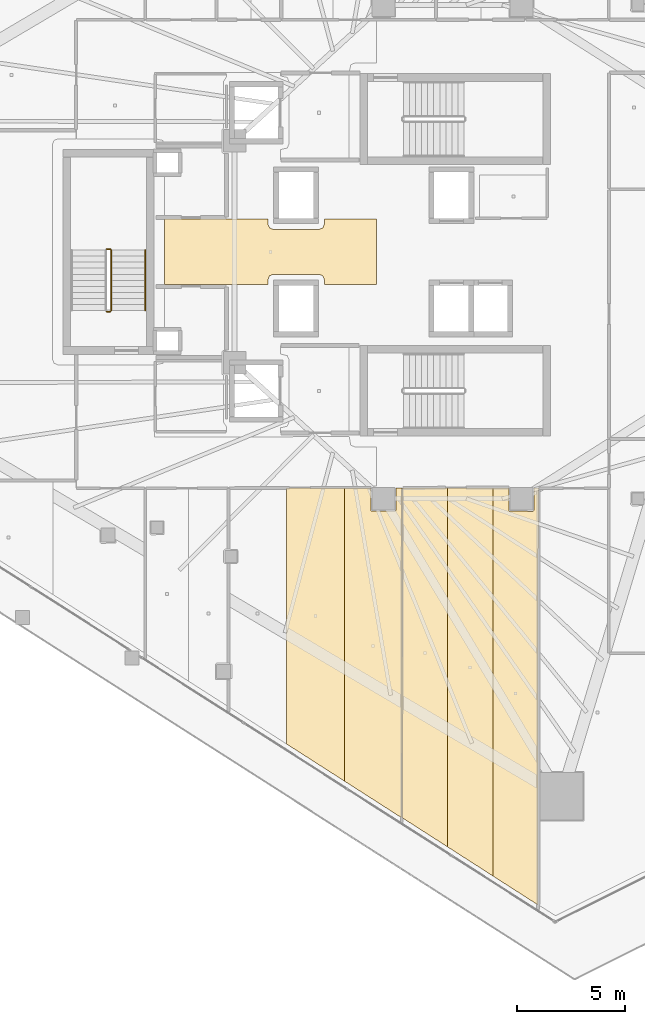
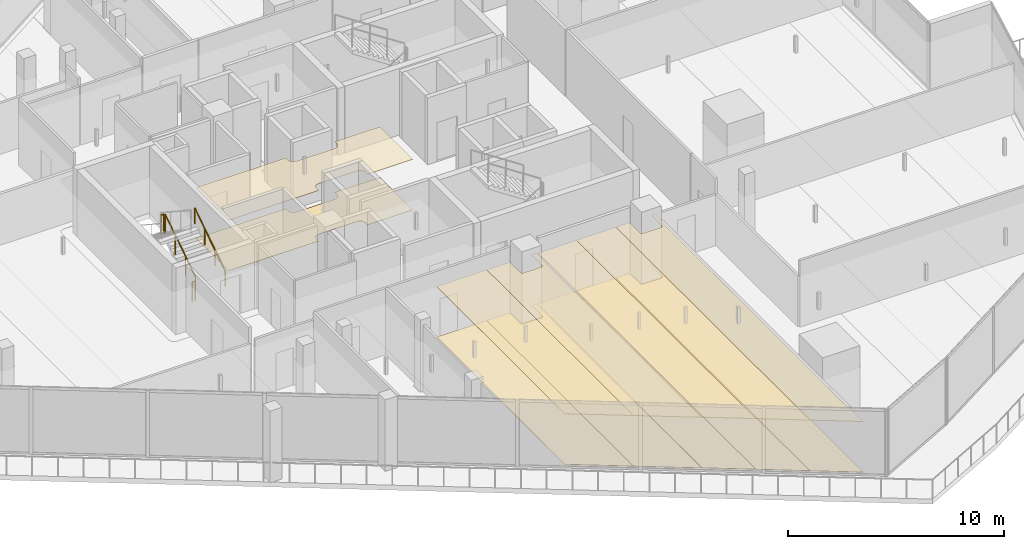
# One storey, part 37 of 44: 12 coverings, 4 railings.
"""IFC4 building model written with IfcOpenShell, lengths in metres."""

from ifc_helpers import new_model, si_unit, direction, frame, origin, origin_2d, place, context, subcontext, project, spatial, polyline, circle, outline, extrude, material, layer, layer_set, type_object, element, save


model = new_model("IFC4")

# Units and contexts
model_context = context("Model", 3, precision=1e-05, world=origin(), true_north=direction((0.0, 1.0)))
body_context = subcontext(model_context, "Body", "Model", "MODEL_VIEW")
ifc_project = project(units=[si_unit("LENGTHUNIT", "METRE"), si_unit("AREAUNIT", "SQUARE_METRE"), si_unit("VOLUMEUNIT", "CUBIC_METRE"), si_unit("PLANEANGLEUNIT", "RADIAN"), si_unit("MASSUNIT", "GRAM", prefix="KILO")], contexts=[model_context])

# Site, building, storey
site_placement = place(None, origin())
site = spatial("IfcSite", under=ifc_project, at=site_placement, CompositionType="ELEMENT")
building_placement = place(site_placement, origin())
building = spatial("IfcBuilding", under=site, at=building_placement, Name="Qorvath Tower", CompositionType="ELEMENT")
storey_placement = place(building_placement, frame((0.0, 0.0, 113.85009765625)))
storey = spatial("IfcBuildingStorey", under=building, at=storey_placement, Name="L25", CompositionType="ELEMENT", Elevation=113.85009765625)

# Coverings
ifc_material_1 = material(Name="Acoustic mineral fibre ceiling tile", Category="gypsum")
ifc_layer_1 = layer(ifc_material_1, 0.030029296875)
ifc_layer_set_1 = layer_set([ifc_layer_1], Name="COV-CEIL")
covering_type_1 = type_object("IfcCoveringType", Name="COV-CEIL", PredefinedType="CEILING", material=ifc_layer_set_1)
covering_1_placement = place(storey_placement, frame((0.0, 0.0, 2.849853515625)))
element("IfcCovering", 1, at=covering_1_placement, inside=storey, type_object=covering_type_1, Name="L25 Suspended Acoustic Ceiling 010", PredefinedType="CEILING", context=body_context, shape_type="SweptSolid", body=[
    extrude(outline(polyline([(-23.919677734375, -1.514892578125), (-23.919677734375, 1.514892578125), (-26.340087890625, 1.514892578125), (-26.340087890625, 1.2900390625), (-26.413330078125, 1.11328125), (-26.590087890625, 1.0400390625), (-28.7099609375, 1.0400390625), (-28.88671875, 1.11328125), (-28.9599609375, 1.2900390625), (-28.9599609375, 1.514892578125), (-33.760009765625, 1.514892578125), (-33.760009765625, -1.514892578125), (-28.9599609375, -1.514892578125), (-28.9599609375, -1.2900390625), (-28.88671875, -1.11328125), (-28.7099609375, -1.0400390625), (-26.590087890625, -1.0400390625), (-26.413330078125, -1.11328125), (-26.340087890625, -1.2900390625), (-26.340087890625, -1.514892578125), (-23.919677734375, -1.514892578125)])), origin(), (0.0, 0.0, 1.0), 0.030029296875),
])
covering_2_placement = place(storey_placement, frame((0.0, 0.0, 2.849853515625)))
element("IfcCovering", 2, at=covering_2_placement, inside=storey, type_object=covering_type_1, Name="L25 Suspended Acoustic Ceiling 026", PredefinedType="CEILING", context=body_context, shape_type="SweptSolid", body=[
    extrude(outline(polyline([(-25.418701171875, -24.5400390625), (-25.418701171875, -10.94677734375), (-28.0986328125, -10.954833984375), (-28.0986328125, -22.821044921875), (-25.418701171875, -24.5400390625)])), origin(), (0.0, 0.0, 1.0), 0.030029296875),
])
covering_3_placement = place(storey_placement, frame((0.0, 0.0, 2.849853515625)))
element("IfcCovering", 3, at=covering_3_placement, inside=storey, type_object=covering_type_1, Name="L25 Suspended Acoustic Ceiling 027", PredefinedType="CEILING", context=body_context, shape_type="SweptSolid", body=[
    extrude(outline(polyline([(-22.75634765625, -26.247802734375), (-22.73876953125, -10.962890625), (-23.014892578125, -10.951171875), (-23.014892578125, -11.97509765625), (-23.074951171875, -12.034912109375), (-24.16748046875, -12.017333984375), (-24.18505859375, -10.943115234375), (-25.418701171875, -10.94677734375), (-25.418701171875, -24.5400390625), (-22.75634765625, -26.247802734375)])), origin(), (0.0, 0.0, 1.0), 0.030029296875),
])
covering_4_placement = place(storey_placement, frame((0.0, 0.0, 2.849853515625)))
element("IfcCovering", 4, at=covering_4_placement, inside=storey, type_object=covering_type_1, Name="L25 Suspended Acoustic Ceiling 028", PredefinedType="CEILING", context=body_context, shape_type="SweptSolid", body=[
    extrude(outline(polyline([(-20.63232421875, -27.59326171875), (-20.63232421875, -10.95458984375), (-22.720703125, -10.962890625), (-22.73828125, -26.240966796875), (-20.63232421875, -27.59326171875)])), origin(), (0.0, 0.0, 1.0), 0.030029296875),
])
covering_5_placement = place(storey_placement, frame((0.0, 0.0, 2.849853515625)))
element("IfcCovering", 5, at=covering_5_placement, inside=storey, type_object=covering_type_1, Name="L25 Suspended Acoustic Ceiling 029", PredefinedType="CEILING", context=body_context, shape_type="SweptSolid", body=[
    extrude(outline(polyline([(-18.526123046875, -28.9453125), (-18.526123046875, -10.946044921875), (-20.63232421875, -10.95458984375), (-20.63232421875, -27.59326171875), (-18.526123046875, -28.9453125)])), origin(), (0.0, 0.0, 1.0), 0.030029296875),
])
covering_6_placement = place(storey_placement, frame((0.0, 0.0, 2.849853515625)))
element("IfcCovering", 6, at=covering_6_placement, inside=storey, type_object=covering_type_1, Name="L25 Suspended Acoustic Ceiling 030", PredefinedType="CEILING", context=body_context, shape_type="SweptSolid", body=[
    extrude(outline(polyline([(-16.437744140625, -30.2861328125), (-16.419921875, -10.962646484375), (-16.614990234375, -10.953369140625), (-16.614990234375, -11.97509765625), (-16.675048828125, -12.034912109375), (-17.767333984375, -12.017333984375), (-17.784912109375, -10.943115234375), (-18.526123046875, -10.946044921875), (-18.526123046875, -28.9453125), (-16.437744140625, -30.2861328125)])), origin(), (0.0, 0.0, 1.0), 0.030029296875),
])
ifc_material_2 = material(Name="Low-VOC modular carpet tile", Category="textile")
ifc_layer_2 = layer(ifc_material_2, 0.014892578125)
ifc_layer_set_2 = layer_set([ifc_layer_2], Name="COV-FLOOR-CPT")
covering_type_2 = type_object("IfcCoveringType", Name="COV-FLOOR-CPT", PredefinedType="FLOORING", material=ifc_layer_set_2)
covering_7_placement = place(storey_placement, origin())
element("IfcCovering", 7, at=covering_7_placement, inside=storey, type_object=covering_type_2, Name="L25 Floor Finish 026", PredefinedType="FLOORING", context=body_context, shape_type="SweptSolid", body=[
    extrude(outline(polyline([(-25.418701171875, -24.5400390625), (-25.418701171875, -10.94677734375), (-28.0986328125, -10.954833984375), (-28.0986328125, -22.821044921875), (-25.418701171875, -24.5400390625)])), origin(), (0.0, 0.0, 1.0), 0.014892578125),
])
covering_8_placement = place(storey_placement, origin())
element("IfcCovering", 8, at=covering_8_placement, inside=storey, type_object=covering_type_2, Name="L25 Floor Finish 027", PredefinedType="FLOORING", context=body_context, shape_type="SweptSolid", body=[
    extrude(outline(polyline([(-22.75634765625, -26.247802734375), (-22.73876953125, -10.962890625), (-23.014892578125, -10.951171875), (-23.014892578125, -11.97509765625), (-23.074951171875, -12.034912109375), (-24.16748046875, -12.017333984375), (-24.18505859375, -10.943115234375), (-25.418701171875, -10.94677734375), (-25.418701171875, -24.5400390625), (-22.75634765625, -26.247802734375)])), origin(), (0.0, 0.0, 1.0), 0.014892578125),
])
covering_9_placement = place(storey_placement, origin())
element("IfcCovering", 9, at=covering_9_placement, inside=storey, type_object=covering_type_2, Name="L25 Floor Finish 028", PredefinedType="FLOORING", context=body_context, shape_type="SweptSolid", body=[
    extrude(outline(polyline([(-20.63232421875, -27.59326171875), (-20.63232421875, -10.95458984375), (-22.720703125, -10.962890625), (-22.73828125, -26.240966796875), (-20.63232421875, -27.59326171875)])), origin(), (0.0, 0.0, 1.0), 0.014892578125),
])
covering_10_placement = place(storey_placement, origin())
element("IfcCovering", 10, at=covering_10_placement, inside=storey, type_object=covering_type_2, Name="L25 Floor Finish 029", PredefinedType="FLOORING", context=body_context, shape_type="SweptSolid", body=[
    extrude(outline(polyline([(-18.526123046875, -28.9453125), (-18.526123046875, -10.946044921875), (-20.63232421875, -10.95458984375), (-20.63232421875, -27.59326171875), (-18.526123046875, -28.9453125)])), origin(), (0.0, 0.0, 1.0), 0.014892578125),
])
covering_11_placement = place(storey_placement, origin())
element("IfcCovering", 11, at=covering_11_placement, inside=storey, type_object=covering_type_2, Name="L25 Floor Finish 030", PredefinedType="FLOORING", context=body_context, shape_type="SweptSolid", body=[
    extrude(outline(polyline([(-16.437744140625, -30.2861328125), (-16.419921875, -10.962646484375), (-16.614990234375, -10.953369140625), (-16.614990234375, -11.97509765625), (-16.675048828125, -12.034912109375), (-17.767333984375, -12.017333984375), (-17.784912109375, -10.943115234375), (-18.526123046875, -10.946044921875), (-18.526123046875, -28.9453125), (-16.437744140625, -30.2861328125)])), origin(), (0.0, 0.0, 1.0), 0.014892578125),
])
ifc_material_3 = material(Name="Polished epoxy terrazzo flooring", Category="concrete")
ifc_layer_3 = layer(ifc_material_3, 0.02001953125)
ifc_layer_set_3 = layer_set([ifc_layer_3], Name="COV-FLOOR-TRZ")
covering_type_3 = type_object("IfcCoveringType", Name="COV-FLOOR-TRZ", PredefinedType="FLOORING", material=ifc_layer_set_3)
covering_12_placement = place(storey_placement, origin())
element("IfcCovering", 12, at=covering_12_placement, inside=storey, type_object=covering_type_3, Name="L25 Floor Finish 010", PredefinedType="FLOORING", context=body_context, shape_type="SweptSolid", body=[
    extrude(outline(polyline([(-23.919677734375, -1.514892578125), (-23.919677734375, 1.514892578125), (-26.340087890625, 1.514892578125), (-26.340087890625, 1.2900390625), (-26.413330078125, 1.11328125), (-26.590087890625, 1.0400390625), (-28.7099609375, 1.0400390625), (-28.88671875, 1.11328125), (-28.9599609375, 1.2900390625), (-28.9599609375, 1.514892578125), (-33.760009765625, 1.514892578125), (-33.760009765625, -1.514892578125), (-28.9599609375, -1.514892578125), (-28.9599609375, -1.2900390625), (-28.88671875, -1.11328125), (-28.7099609375, -1.0400390625), (-26.590087890625, -1.0400390625), (-26.413330078125, -1.11328125), (-26.340087890625, -1.2900390625), (-26.340087890625, -1.514892578125), (-23.919677734375, -1.514892578125)])), origin(), (0.0, 0.0, 1.0), 0.014892578125),
])

# Railings
ifc_material_4 = material(Name="Painted galvanised steel", Category="steel")
railing_type_1 = type_object("IfcRailingType", Name="RL-STR-GRD", PredefinedType="GUARDRAIL", material=ifc_material_4)
railing_1_placement = place(storey_placement, frame((-36.22998046875, -2.719970703125, 0.18408203125)))
element("IfcRailing", 13, at=railing_1_placement, inside=storey, type_object=railing_type_1, Name="L25 TS3 stair guard 1", PredefinedType="GUARDRAIL", context=body_context, shape_type="SweptSolid", body=[
    extrude(circle(Radius=0.02392578125, at=origin_2d()), frame((0.0, 0.0, 1.076171875), z_axis=(0.0, 0.835597507184, 0.549342157483), x_axis=(-1.0, 0.0, 0.0)), (0.0, 0.0, 1.0), 3.35107421875),
    extrude(circle(Radius=0.02099609375, at=origin_2d()), origin(), (0.0, 0.0, 1.0), 1.052001953125),
    extrude(circle(Radius=0.02099609375, at=origin_2d()), frame((0.0, 0.933349609375, 0.613525390625)), (0.0, 0.0, 1.0), 1.052001953125),
    extrude(circle(Radius=0.02099609375, at=origin_2d()), frame((0.0, 1.86669921875, 1.227294921875)), (0.0, 0.0, 1.0), 1.052001953125),
    extrude(circle(Radius=0.02099609375, at=origin_2d()), frame((0.0, 2.800048828125, 1.8408203125)), (0.0, 0.0, 1.0), 1.052001953125),
])
for number, where, name in (
    (14, (-36.280029296875, 0.1298828125, 2.02490234375), "L25 TS3 stair guard 2"),
    (15, (-36.280029296875, -2.77001953125, 0.0), "L25 TS3 stair guard 4"),
):
    element("IfcRailing", number, at=place(storey_placement, frame(where)), inside=storey, type_object=railing_type_1, Name=name, PredefinedType="GUARDRAIL", context=body_context, shape_type="SweptSolid", body=[
        extrude(circle(Radius=0.02392578125, at=origin_2d()), frame((0.0, 0.0, 1.076171875), z_axis=(-1.0, 0.0, 0.0), x_axis=(0.0, -1.0, 0.0)), (0.0, 0.0, 1.0), 0.14990234375),
        extrude(circle(Radius=0.02099609375, at=origin_2d()), origin(), (0.0, 0.0, 1.0), 1.052001953125),
        extrude(circle(Radius=0.02099609375, at=origin_2d()), frame((-0.14990234375, 0.0, 0.0)), (0.0, 0.0, 1.0), 1.052001953125),
    ])
ifc_material_5 = material(Name="Brushed stainless steel AISI 304", Category="steel")
railing_type_2 = type_object("IfcRailingType", Name="RL-STR-HND", PredefinedType="HANDRAIL", material=ifc_material_5)
railing_2_placement = place(storey_placement, frame((-34.64990234375, -2.719970703125, 0.18408203125)))
element("IfcRailing", 16, at=railing_2_placement, inside=storey, type_object=railing_type_2, Name="L25 TS3 stair handrail 1", PredefinedType="HANDRAIL", context=body_context, shape_type="SweptSolid", body=[
    extrude(circle(Radius=0.02392578125, at=origin_2d()), frame((0.0, 0.0, 0.8759765625), z_axis=(0.0, 0.835597507184, 0.549342157483), x_axis=(-1.0, 0.0, 0.0)), (0.0, 0.0, 1.0), 3.35107421875),
    extrude(circle(Radius=0.02099609375, at=origin_2d()), origin(), (0.0, 0.0, 1.0), 0.851806640625),
    extrude(circle(Radius=0.02099609375, at=origin_2d()), frame((0.0, 0.933349609375, 0.613525390625)), (0.0, 0.0, 1.0), 0.851806640625),
    extrude(circle(Radius=0.02099609375, at=origin_2d()), frame((0.0, 1.86669921875, 1.227294921875)), (0.0, 0.0, 1.0), 0.851806640625),
    extrude(circle(Radius=0.02099609375, at=origin_2d()), frame((0.0, 2.800048828125, 1.8408203125)), (0.0, 0.0, 1.0), 0.851806640625),
])

save(model, "model.ifc")
